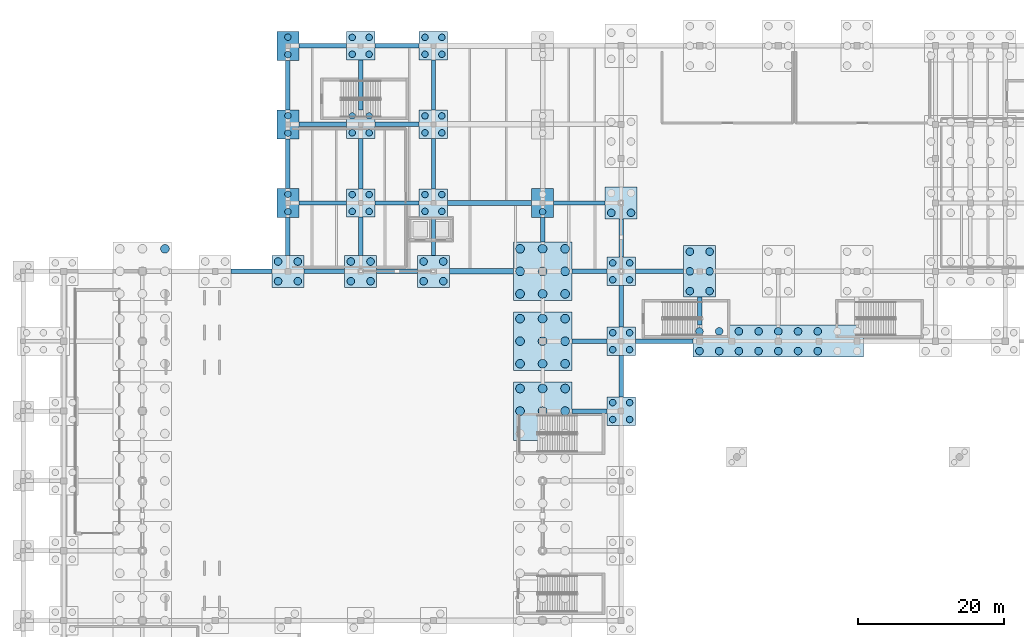
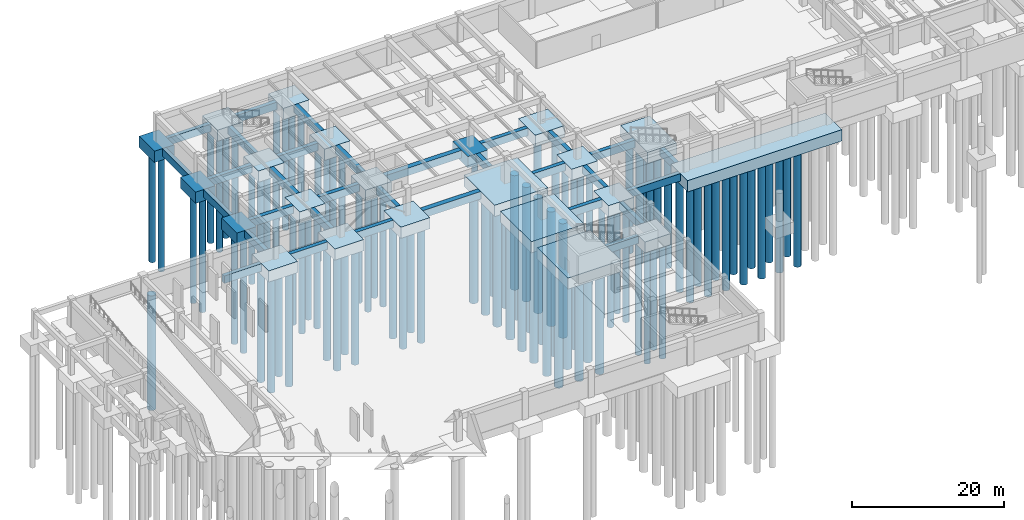
# One storey, part 3 of 33: 102 piles, 53 footings.
"""IFC4 building model written with IfcOpenShell, lengths in metres."""

from ifc_helpers import new_model, si_unit, direction, frame, origin, origin_2d, place, context, subcontext, project, spatial, rectangle, circle, extrude, material, material_profile, profile_set, type_object, element, save


model = new_model("IFC4")

# Units and contexts
model_context = context("Model", 3, precision=1e-05, world=origin(), true_north=direction((0.0, 1.0)))
body_context = subcontext(model_context, "Body", "Model", "MODEL_VIEW")
ifc_project = project(units=[si_unit("LENGTHUNIT", "METRE"), si_unit("AREAUNIT", "SQUARE_METRE"), si_unit("VOLUMEUNIT", "CUBIC_METRE"), si_unit("PLANEANGLEUNIT", "RADIAN"), si_unit("MASSUNIT", "GRAM", prefix="KILO")], contexts=[model_context])

# Site, building, storey
site_placement = place(None, origin())
site = spatial("IfcSite", under=ifc_project, at=site_placement, CompositionType="ELEMENT")
building_placement = place(site_placement, origin())
building = spatial("IfcBuilding", under=site, at=building_placement, Name="Veldera Park Congress Hotel", CompositionType="ELEMENT")
storey_placement = place(building_placement, frame((0.0, 0.0, -4.5)))
storey = spatial("IfcBuildingStorey", under=building, at=storey_placement, Name="B1", CompositionType="ELEMENT", Elevation=-4.5)

# Footings
ifc_material = material(Name="Concrete f'c 40 MPa (5,800 psi)", Category="concrete")
footing_type_1 = type_object("IfcFootingType", Name="FB-600X1200", PredefinedType="FOOTING_BEAM", material=ifc_material)
for number, where, z_axis, x_axis, name in (
    (1, (-5.96240234375, 7.800048828125, -1.2001953125), (0.0, 0.0, 1.0), (1.0, 0.0, 0.0), "Foundation Tie Beam FB-600X1200 40"),
    (2, (-5.96240234375, 17.39990234375, -1.2001953125), (0.0, 0.0, 1.0), (1.0, 0.0, 0.0), "Foundation Tie Beam FB-600X1200 44"),
):
    element("IfcFooting", number, at=place(storey_placement, frame(where, z_axis=z_axis, x_axis=x_axis)), inside=storey, type_object=footing_type_1, Name=name, PredefinedType="FOOTING_BEAM", context=body_context, shape_type="SweptSolid", body=[
        extrude(rectangle(XDim=4.824951171875, YDim=0.60009765625, at=origin_2d()), origin(), (0.0, 0.0, 1.0), 1.199951171875),
    ])
footing_1_placement = place(storey_placement, frame((4.324951171875, 17.39990234375, -1.2001953125), z_axis=(0.0, 0.0, 1.0), x_axis=(1.0, 0.0, 0.0)))
element("IfcFooting", 3, at=footing_1_placement, inside=storey, type_object=footing_type_1, Name="Foundation Tie Beam FB-600X1200 45", PredefinedType="FOOTING_BEAM", context=body_context, shape_type="SweptSolid", body=[
    extrude(rectangle(XDim=7.949951171875, YDim=0.60009765625, at=origin_2d()), origin(), (0.0, 0.0, 1.0), 1.199951171875),
])
for number, where, z_axis, x_axis, name in (
    (4, (-52.39990234375, 27.0, -1.2001953125), (0.0, 0.0, 1.0), (1.0, 0.0, 0.0), "Foundation Tie Beam FB-600X1200 53"),
    (5, (-42.39990234375, 27.0, -1.2001953125), (0.0, 0.0, 1.0), (1.0, 0.0, 0.0), "Foundation Tie Beam FB-600X1200 54"),
    (6, (-32.39990234375, 27.0, -1.2001953125), (0.0, 0.0, 1.0), (1.0, 0.0, 0.0), "Foundation Tie Beam FB-600X1200 55"),
):
    element("IfcFooting", number, at=place(storey_placement, frame(where, z_axis=z_axis, x_axis=x_axis)), inside=storey, type_object=footing_type_1, Name=name, PredefinedType="FOOTING_BEAM", context=body_context, shape_type="SweptSolid", body=[
        extrude(rectangle(XDim=5.60009765625, YDim=0.60009765625, at=origin_2d()), origin(), (0.0, 0.0, 1.0), 1.199951171875),
    ])
footing_2_placement = place(storey_placement, frame((-5.96240234375, 27.0, -1.2001953125), z_axis=(0.0, 0.0, 1.0), x_axis=(1.0, 0.0, 0.0)))
element("IfcFooting", 7, at=footing_2_placement, inside=storey, type_object=footing_type_1, Name="Foundation Tie Beam FB-600X1200 57", PredefinedType="FOOTING_BEAM", context=body_context, shape_type="SweptSolid", body=[
    extrude(rectangle(XDim=4.824951171875, YDim=0.60009765625, at=origin_2d()), origin(), (0.0, 0.0, 1.0), 1.199951171875),
])
footing_3_placement = place(storey_placement, frame((3.675048828125, 27.0, -1.2001953125), z_axis=(0.0, 0.0, 1.0), x_axis=(1.0, 0.0, 0.0)))
element("IfcFooting", 8, at=footing_3_placement, inside=storey, type_object=footing_type_1, Name="Foundation Tie Beam FB-600X1200 58", PredefinedType="FOOTING_BEAM", context=body_context, shape_type="SweptSolid", body=[
    extrude(rectangle(XDim=6.64990234375, YDim=0.60009765625, at=origin_2d()), origin(), (0.0, 0.0, 1.0), 1.199951171875),
])
footing_4_placement = place(storey_placement, frame((-42.625, 36.39990234375, -1.2001953125), z_axis=(0.0, 0.0, 1.0), x_axis=(1.0, 0.0, 0.0)))
element("IfcFooting", 9, at=footing_4_placement, inside=storey, type_object=footing_type_1, Name="Foundation Tie Beam FB-600X1200 65", PredefinedType="FOOTING_BEAM", context=body_context, shape_type="SweptSolid", body=[
    extrude(rectangle(XDim=6.550048828125, YDim=0.60009765625, at=origin_2d()), origin(), (0.0, 0.0, 1.0), 1.199951171875),
])
footing_5_placement = place(storey_placement, frame((-32.39990234375, 36.39990234375, -1.2001953125), z_axis=(0.0, 0.0, 1.0), x_axis=(1.0, 0.0, 0.0)))
element("IfcFooting", 10, at=footing_5_placement, inside=storey, type_object=footing_type_1, Name="Foundation Tie Beam FB-600X1200 66", PredefinedType="FOOTING_BEAM", context=body_context, shape_type="SweptSolid", body=[
    extrude(rectangle(XDim=6.10009765625, YDim=0.60009765625, at=origin_2d()), origin(), (0.0, 0.0, 1.0), 1.199951171875),
])
footing_6_placement = place(storey_placement, frame((-7.35009765625, 36.39990234375, -1.2001953125), z_axis=(0.0, 0.0, 1.0), x_axis=(1.0, 0.0, 0.0)))
element("IfcFooting", 11, at=footing_6_placement, inside=storey, type_object=footing_type_1, Name="Foundation Tie Beam FB-600X1200 68", PredefinedType="FOOTING_BEAM", context=body_context, shape_type="SweptSolid", body=[
    extrude(rectangle(XDim=7.10009765625, YDim=0.60009765625, at=origin_2d()), origin(), (0.0, 0.0, 1.0), 1.199951171875),
])
footing_7_placement = place(storey_placement, frame((-42.625, 47.199951171875, -1.2001953125), z_axis=(0.0, 0.0, 1.0), x_axis=(1.0, 0.0, 0.0)))
element("IfcFooting", 12, at=footing_7_placement, inside=storey, type_object=footing_type_1, Name="Foundation Tie Beam FB-600X1200 72", PredefinedType="FOOTING_BEAM", context=body_context, shape_type="SweptSolid", body=[
    extrude(rectangle(XDim=6.550048828125, YDim=0.60009765625, at=origin_2d()), origin(), (0.0, 0.0, 1.0), 1.199951171875),
])
footing_8_placement = place(storey_placement, frame((-32.39990234375, 47.199951171875, -1.2001953125), z_axis=(0.0, 0.0, 1.0), x_axis=(1.0, 0.0, 0.0)))
element("IfcFooting", 13, at=footing_8_placement, inside=storey, type_object=footing_type_1, Name="Foundation Tie Beam FB-600X1200 73", PredefinedType="FOOTING_BEAM", context=body_context, shape_type="SweptSolid", body=[
    extrude(rectangle(XDim=6.10009765625, YDim=0.60009765625, at=origin_2d()), origin(), (0.0, 0.0, 1.0), 1.199951171875),
])
footing_9_placement = place(storey_placement, frame((-42.625, 58.0, -1.2001953125), z_axis=(0.0, 0.0, 1.0), x_axis=(1.0, 0.0, 0.0)))
element("IfcFooting", 14, at=footing_9_placement, inside=storey, type_object=footing_type_1, Name="Foundation Tie Beam FB-600X1200 79", PredefinedType="FOOTING_BEAM", context=body_context, shape_type="SweptSolid", body=[
    extrude(rectangle(XDim=6.550048828125, YDim=0.60009765625, at=origin_2d()), origin(), (0.0, 0.0, 1.0), 1.199951171875),
])
footing_10_placement = place(storey_placement, frame((-32.39990234375, 58.0, -1.2001953125), z_axis=(0.0, 0.0, 1.0), x_axis=(1.0, 0.0, 0.0)))
element("IfcFooting", 15, at=footing_10_placement, inside=storey, type_object=footing_type_1, Name="Foundation Tie Beam FB-600X1200 80", PredefinedType="FOOTING_BEAM", context=body_context, shape_type="SweptSolid", body=[
    extrude(rectangle(XDim=6.10009765625, YDim=0.60009765625, at=origin_2d()), origin(), (0.0, 0.0, 1.0), 1.199951171875),
])
footing_11_placement = place(storey_placement, frame((-47.39990234375, 31.800048828125, -1.2001953125), z_axis=(0.0, 0.0, 1.0), x_axis=(0.0, 1.0, 0.0)))
element("IfcFooting", 16, at=footing_11_placement, inside=storey, type_object=footing_type_1, Name="Foundation Tie Beam FB-600X1200 105", PredefinedType="FOOTING_BEAM", context=body_context, shape_type="SweptSolid", body=[
    extrude(rectangle(XDim=5.199951171875, YDim=0.60009765625, at=origin_2d()), origin(), (0.0, 0.0, 1.0), 1.199951171875),
])
for number, where, z_axis, x_axis, name in (
    (17, (-47.39990234375, 41.800048828125, -1.2001953125), (0.0, 0.0, 1.0), (0.0, 1.0, 0.0), "Foundation Tie Beam FB-600X1200 106"),
    (18, (-47.39990234375, 52.60009765625, -1.2001953125), (0.0, 0.0, 1.0), (0.0, 1.0, 0.0), "Foundation Tie Beam FB-600X1200 107"),
):
    element("IfcFooting", number, at=place(storey_placement, frame(where, z_axis=z_axis, x_axis=x_axis)), inside=storey, type_object=footing_type_1, Name=name, PredefinedType="FOOTING_BEAM", context=body_context, shape_type="SweptSolid", body=[
        extrude(rectangle(XDim=6.800048828125, YDim=0.60009765625, at=origin_2d()), origin(), (0.0, 0.0, 1.0), 1.199951171875),
    ])
footing_12_placement = place(storey_placement, frame((-37.39990234375, 31.824951171875, -1.2001953125), z_axis=(0.0, 0.0, 1.0), x_axis=(0.0, 1.0, 0.0)))
element("IfcFooting", 19, at=footing_12_placement, inside=storey, type_object=footing_type_1, Name="Foundation Tie Beam FB-600X1200 111", PredefinedType="FOOTING_BEAM", context=body_context, shape_type="SweptSolid", body=[
    extrude(rectangle(XDim=5.25, YDim=0.60009765625, at=origin_2d()), origin(), (0.0, 0.0, 1.0), 1.199951171875),
])
for number, where, z_axis, x_axis, name in (
    (20, (-37.39990234375, 41.800048828125, -1.2001953125), (0.0, 0.0, 1.0), (0.0, 1.0, 0.0), "Foundation Tie Beam FB-600X1200 112"),
    (21, (-37.39990234375, 52.60009765625, -1.2001953125), (0.0, 0.0, 1.0), (0.0, 1.0, 0.0), "Foundation Tie Beam FB-600X1200 113"),
):
    element("IfcFooting", number, at=place(storey_placement, frame(where, z_axis=z_axis, x_axis=x_axis)), inside=storey, type_object=footing_type_1, Name=name, PredefinedType="FOOTING_BEAM", context=body_context, shape_type="SweptSolid", body=[
        extrude(rectangle(XDim=6.89990234375, YDim=0.60009765625, at=origin_2d()), origin(), (0.0, 0.0, 1.0), 1.199951171875),
    ])
footing_13_placement = place(storey_placement, frame((-27.39990234375, 31.824951171875, -1.2001953125), z_axis=(0.0, 0.0, 1.0), x_axis=(0.0, 1.0, 0.0)))
element("IfcFooting", 22, at=footing_13_placement, inside=storey, type_object=footing_type_1, Name="Foundation Tie Beam FB-600X1200 114", PredefinedType="FOOTING_BEAM", context=body_context, shape_type="SweptSolid", body=[
    extrude(rectangle(XDim=5.25, YDim=0.60009765625, at=origin_2d()), origin(), (0.0, 0.0, 1.0), 1.199951171875),
])
for number, where, z_axis, x_axis, name in (
    (23, (-27.39990234375, 41.800048828125, -1.2001953125), (0.0, 0.0, 1.0), (0.0, 1.0, 0.0), "Foundation Tie Beam FB-600X1200 115"),
    (24, (-27.39990234375, 52.60009765625, -1.2001953125), (0.0, 0.0, 1.0), (0.0, 1.0, 0.0), "Foundation Tie Beam FB-600X1200 116"),
):
    element("IfcFooting", number, at=place(storey_placement, frame(where, z_axis=z_axis, x_axis=x_axis)), inside=storey, type_object=footing_type_1, Name=name, PredefinedType="FOOTING_BEAM", context=body_context, shape_type="SweptSolid", body=[
        extrude(rectangle(XDim=6.89990234375, YDim=0.60009765625, at=origin_2d()), origin(), (0.0, 0.0, 1.0), 1.199951171875),
    ])
footing_14_placement = place(storey_placement, frame((-12.39990234375, 32.71240234375, -1.2001953125), z_axis=(0.0, 0.0, 1.0), x_axis=(0.0, 1.0, 0.0)))
element("IfcFooting", 25, at=footing_14_placement, inside=storey, type_object=footing_type_1, Name="Foundation Tie Beam FB-600X1200 117", PredefinedType="FOOTING_BEAM", context=body_context, shape_type="SweptSolid", body=[
    extrude(rectangle(XDim=3.375, YDim=0.60009765625, at=origin_2d()), origin(), (0.0, 0.0, 1.0), 1.199951171875),
])
for number, where, z_axis, x_axis, name in (
    (26, (-1.60009765625, 12.60009765625, -1.2001953125), (0.0, 0.0, 1.0), (0.0, 1.0, 0.0), "Foundation Tie Beam FB-600X1200 123"),
    (27, (-1.60009765625, 22.199951171875, -1.2001953125), (0.0, 0.0, 1.0), (0.0, 1.0, 0.0), "Foundation Tie Beam FB-600X1200 124"),
):
    element("IfcFooting", number, at=place(storey_placement, frame(where, z_axis=z_axis, x_axis=x_axis)), inside=storey, type_object=footing_type_1, Name=name, PredefinedType="FOOTING_BEAM", context=body_context, shape_type="SweptSolid", body=[
        extrude(rectangle(XDim=5.699951171875, YDim=0.60009765625, at=origin_2d()), origin(), (0.0, 0.0, 1.0), 1.199951171875),
    ])
footing_15_placement = place(storey_placement, frame((-1.60009765625, 31.574951171875, -1.2001953125), z_axis=(0.0, 0.0, 1.0), x_axis=(0.0, 1.0, 0.0)))
element("IfcFooting", 28, at=footing_15_placement, inside=storey, type_object=footing_type_1, Name="Foundation Tie Beam FB-600X1200 125", PredefinedType="FOOTING_BEAM", context=body_context, shape_type="SweptSolid", body=[
    extrude(rectangle(XDim=5.25, YDim=0.60009765625, at=origin_2d()), origin(), (0.0, 0.0, 1.0), 1.199951171875),
])
footing_16_placement = place(storey_placement, frame((9.199951171875, 21.52490234375, -1.2001953125), z_axis=(0.0, 0.0, 1.0), x_axis=(0.0, 1.0, 0.0)))
element("IfcFooting", 29, at=footing_16_placement, inside=storey, type_object=footing_type_1, Name="Foundation Tie Beam FB-600X1200 128", PredefinedType="FOOTING_BEAM", context=body_context, shape_type="SweptSolid", body=[
    extrude(rectangle(XDim=3.85009765625, YDim=0.60009765625, at=origin_2d()), origin(), (0.0, 0.0, 1.0), 1.199951171875),
])
footing_type_2 = type_object("IfcFootingType", Name="FB-750X1200", PredefinedType="FOOTING_BEAM", material=ifc_material)
footing_17_placement = place(storey_placement, frame((-20.8125, 27.0, -1.2001953125), z_axis=(0.0, 0.0, 1.0), x_axis=(1.0, 0.0, 0.0)))
element("IfcFooting", 30, at=footing_17_placement, inside=storey, type_object=footing_type_2, Name="Foundation Tie Beam FB-750X1200 56", PredefinedType="FOOTING_BEAM", context=body_context, shape_type="SweptSolid", body=[
    extrude(rectangle(XDim=8.77490234375, YDim=0.75, at=origin_2d()), origin(), (0.0, 0.0, 1.0), 1.199951171875),
])
footing_18_placement = place(storey_placement, frame((-19.675048828125, 36.39990234375, -1.2001953125), z_axis=(0.0, 0.0, 1.0), x_axis=(1.0, 0.0, 0.0)))
element("IfcFooting", 31, at=footing_18_placement, inside=storey, type_object=footing_type_2, Name="Foundation Tie Beam FB-750X1200 67", PredefinedType="FOOTING_BEAM", context=body_context, shape_type="SweptSolid", body=[
    extrude(rectangle(XDim=11.550048828125, YDim=0.75, at=origin_2d()), origin(), (0.0, 0.0, 1.0), 1.199951171875),
])
footing_type_3 = type_object("IfcFootingType", Name="PC-2340X440", PredefinedType="PILE_CAP", material=ifc_material)
footing_19_placement = place(storey_placement, frame((20.0, 17.39990234375, -1.7998046875), z_axis=(0.0, 0.0, 1.0), x_axis=(1.0, 0.0, 0.0)))
element("IfcFooting", 32, at=footing_19_placement, inside=storey, type_object=footing_type_3, Name="Pile Cap PC-2340X440 at (20.0, 17.4)", PredefinedType="PILE_CAP", context=body_context, shape_type="SweptSolid", body=[
    extrude(rectangle(XDim=23.39990234375, YDim=4.39990234375, at=origin_2d()), origin(), (0.0, 0.0, 1.0), 1.800048828125),
])
footing_type_4 = type_object("IfcFootingType", Name="PC-300X400", PredefinedType="PILE_CAP", material=ifc_material)
for number, where, z_axis, x_axis, name in (
    (33, (-47.39990234375, 36.39990234375, -1.7998046875), (0.0, 0.0, 1.0), (1.0, 0.0, 0.0), "Pile Cap PC-300X400 at (-47.4, 36.4)"),
    (34, (-47.39990234375, 47.199951171875, -1.7998046875), (0.0, 0.0, 1.0), (1.0, 0.0, 0.0), "Pile Cap PC-300X400 at (-47.4, 47.2)"),
    (35, (-47.39990234375, 58.0, -1.7998046875), (0.0, 0.0, 1.0), (1.0, 0.0, 0.0), "Pile Cap PC-300X400 at (-47.4, 58.0)"),
    (36, (-12.39990234375, 36.39990234375, -1.7998046875), (0.0, 0.0, 1.0), (1.0, 0.0, 0.0), "Pile Cap PC-300X400 at (-12.4, 36.4)"),
):
    element("IfcFooting", number, at=place(storey_placement, frame(where, z_axis=z_axis, x_axis=x_axis)), inside=storey, type_object=footing_type_4, Name=name, PredefinedType="PILE_CAP", context=body_context, shape_type="SweptSolid", body=[
        extrude(rectangle(XDim=3.0, YDim=4.0, at=origin_2d()), origin(), (0.0, 0.0, 1.0), 1.800048828125),
    ])
footing_type_5 = type_object("IfcFootingType", Name="PC-390", PredefinedType="PILE_CAP", material=ifc_material)
for number, where, z_axis, x_axis, name in (
    (37, (-37.39990234375, 36.39990234375, -1.7998046875), (0.0, 0.0, 1.0), (1.0, 0.0, 0.0), "Pile Cap PC-390 at (-37.4, 36.4)"),
    (38, (-37.39990234375, 47.199951171875, -1.7998046875), (0.0, 0.0, 1.0), (1.0, 0.0, 0.0), "Pile Cap PC-390 at (-37.4, 47.2)"),
    (39, (-37.39990234375, 58.0, -1.7998046875), (0.0, 0.0, 1.0), (1.0, 0.0, 0.0), "Pile Cap PC-390 at (-37.4, 58.0)"),
    (40, (-27.39990234375, 36.39990234375, -1.7998046875), (0.0, 0.0, 1.0), (1.0, 0.0, 0.0), "Pile Cap PC-390 at (-27.4, 36.4)"),
    (41, (-27.39990234375, 47.199951171875, -1.7998046875), (0.0, 0.0, 1.0), (1.0, 0.0, 0.0), "Pile Cap PC-390 at (-27.4, 47.2)"),
    (42, (-27.39990234375, 58.0, -1.7998046875), (0.0, 0.0, 1.0), (1.0, 0.0, 0.0), "Pile Cap PC-390 at (-27.4, 58.0)"),
    (43, (-1.60009765625, 7.800048828125, -1.7998046875), (0.0, 0.0, 1.0), (1.0, 0.0, 0.0), "Pile Cap PC-390 at (-1.6, 7.8)"),
    (44, (-1.60009765625, 17.39990234375, -1.7998046875), (0.0, 0.0, 1.0), (1.0, 0.0, 0.0), "Pile Cap PC-390 at (-1.6, 17.4)"),
    (45, (-1.60009765625, 27.0, -1.7998046875), (0.0, 0.0, 1.0), (1.0, 0.0, 0.0), "Pile Cap PC-390 at (-1.6, 27.0)"),
):
    element("IfcFooting", number, at=place(storey_placement, frame(where, z_axis=z_axis, x_axis=x_axis)), inside=storey, type_object=footing_type_5, Name=name, PredefinedType="PILE_CAP", context=body_context, shape_type="SweptSolid", body=[
        extrude(rectangle(XDim=3.89990234375, YDim=3.89990234375, at=origin_2d()), origin(), (0.0, 0.0, 1.0), 1.800048828125),
    ])
footing_type_6 = type_object("IfcFootingType", Name="PC-440", PredefinedType="PILE_CAP", material=ifc_material)
for number, where, z_axis, x_axis, name in (
    (46, (-47.39990234375, 27.0, -1.7998046875), (0.0, 0.0, 1.0), (1.0, 0.0, 0.0), "Pile Cap PC-440 at (-47.4, 27.0)"),
    (47, (-37.39990234375, 27.0, -1.7998046875), (0.0, 0.0, 1.0), (1.0, 0.0, 0.0), "Pile Cap PC-440 at (-37.4, 27.0)"),
    (48, (-27.39990234375, 27.0, -1.7998046875), (0.0, 0.0, 1.0), (1.0, 0.0, 0.0), "Pile Cap PC-440 at (-27.4, 27.0)"),
    (49, (-1.60009765625, 36.39990234375, -1.7998046875), (0.0, 0.0, 1.0), (1.0, 0.0, 0.0), "Pile Cap PC-440 at (-1.6, 36.4)"),
):
    element("IfcFooting", number, at=place(storey_placement, frame(where, z_axis=z_axis, x_axis=x_axis)), inside=storey, type_object=footing_type_6, Name=name, PredefinedType="PILE_CAP", context=body_context, shape_type="SweptSolid", body=[
        extrude(rectangle(XDim=4.39990234375, YDim=4.39990234375, at=origin_2d()), origin(), (0.0, 0.0, 1.0), 1.800048828125),
    ])
footing_type_7 = type_object("IfcFootingType", Name="PC-440X710", PredefinedType="PILE_CAP", material=ifc_material)
footing_20_placement = place(storey_placement, frame((9.199951171875, 27.0, -1.7998046875), z_axis=(0.0, 0.0, 1.0), x_axis=(1.0, 0.0, 0.0)))
element("IfcFooting", 50, at=footing_20_placement, inside=storey, type_object=footing_type_7, Name="Pile Cap PC-440X710 at (9.2, 27.0)", PredefinedType="PILE_CAP", context=body_context, shape_type="SweptSolid", body=[
    extrude(rectangle(XDim=4.39990234375, YDim=7.10009765625, at=origin_2d()), origin(), (0.0, 0.0, 1.0), 1.800048828125),
])
footing_type_8 = type_object("IfcFootingType", Name="PC-805", PredefinedType="PILE_CAP", material=ifc_material)
for number, where, z_axis, x_axis, name in (
    (51, (-12.39990234375, 7.800048828125, -1.7998046875), (0.0, 0.0, 1.0), (1.0, 0.0, 0.0), "Pile Cap PC-805 at (-12.4, 7.8)"),
    (52, (-12.39990234375, 17.39990234375, -1.7998046875), (0.0, 0.0, 1.0), (1.0, 0.0, 0.0), "Pile Cap PC-805 at (-12.4, 17.4)"),
    (53, (-12.39990234375, 27.0, -1.7998046875), (0.0, 0.0, 1.0), (1.0, 0.0, 0.0), "Pile Cap PC-805 at (-12.4, 27.0)"),
):
    element("IfcFooting", number, at=place(storey_placement, frame(where, z_axis=z_axis, x_axis=x_axis)), inside=storey, type_object=footing_type_8, Name=name, PredefinedType="PILE_CAP", context=body_context, shape_type="SweptSolid", body=[
        extrude(rectangle(XDim=8.050048828125, YDim=8.050048828125, at=origin_2d()), origin(), (0.0, 0.0, 1.0), 1.800048828125),
    ])

# Piles
ifc_material_profile_1 = material_profile(ifc_material, circle(Radius=0.52490234375, at=origin_2d()), Name="PILE D1050")
ifc_profile_set_1 = profile_set([ifc_material_profile_1], Name="Concrete f'c 40 MPa (5,800 psi)")
pile_type_1 = type_object("IfcPileType", Name="PIL-1050", PredefinedType="BORED", material=ifc_profile_set_1)
for number, where, z_axis, x_axis, name in (
    (54, (-48.75439453125, 25.6455078125, -1.64990234375), (0.0, 0.0, -1.0), (1.0, 0.0, 0.0), "Bored Pile PIL-1050 145"),
    (55, (-46.04541015625, 25.6455078125, -1.64990234375), (0.0, 0.0, -1.0), (1.0, 0.0, 0.0), "Bored Pile PIL-1050 146"),
    (56, (-48.75439453125, 28.3544921875, -1.64990234375), (0.0, 0.0, -1.0), (1.0, 0.0, 0.0), "Bored Pile PIL-1050 147"),
    (57, (-46.04541015625, 28.3544921875, -1.64990234375), (0.0, 0.0, -1.0), (1.0, 0.0, 0.0), "Bored Pile PIL-1050 148"),
    (58, (-38.75439453125, 25.6455078125, -1.64990234375), (0.0, 0.0, -1.0), (1.0, 0.0, 0.0), "Bored Pile PIL-1050 165"),
    (59, (-36.04541015625, 25.6455078125, -1.64990234375), (0.0, 0.0, -1.0), (1.0, 0.0, 0.0), "Bored Pile PIL-1050 166"),
    (60, (-38.75439453125, 28.3544921875, -1.64990234375), (0.0, 0.0, -1.0), (1.0, 0.0, 0.0), "Bored Pile PIL-1050 167"),
    (61, (-36.04541015625, 28.3544921875, -1.64990234375), (0.0, 0.0, -1.0), (1.0, 0.0, 0.0), "Bored Pile PIL-1050 168"),
    (62, (-28.75439453125, 25.6455078125, -1.64990234375), (0.0, 0.0, -1.0), (1.0, 0.0, 0.0), "Bored Pile PIL-1050 183"),
    (63, (-26.04541015625, 25.6455078125, -1.64990234375), (0.0, 0.0, -1.0), (1.0, 0.0, 0.0), "Bored Pile PIL-1050 184"),
    (64, (-28.75439453125, 28.3544921875, -1.64990234375), (0.0, 0.0, -1.0), (1.0, 0.0, 0.0), "Bored Pile PIL-1050 185"),
    (65, (-26.04541015625, 28.3544921875, -1.64990234375), (0.0, 0.0, -1.0), (1.0, 0.0, 0.0), "Bored Pile PIL-1050 186"),
    (66, (-2.95458984375, 35.04541015625, -1.64990234375), (0.0, 0.0, -1.0), (1.0, 0.0, 0.0), "Bored Pile PIL-1050 283"),
    (67, (-0.24560546875, 35.04541015625, -1.64990234375), (0.0, 0.0, -1.0), (1.0, 0.0, 0.0), "Bored Pile PIL-1050 284"),
    (68, (9.1640625, 16.04541015625, -1.64990234375), (0.0, 0.0, -1.0), (1.0, 0.0, 0.0), "Bored Pile PIL-1050 297"),
    (69, (9.1640625, 18.75439453125, -1.64990234375), (0.0, 0.0, -1.0), (1.0, 0.0, 0.0), "Bored Pile PIL-1050 298"),
    (70, (11.873046875, 16.04541015625, -1.64990234375), (0.0, 0.0, -1.0), (1.0, 0.0, 0.0), "Bored Pile PIL-1050 299"),
    (71, (11.873046875, 18.75439453125, -1.64990234375), (0.0, 0.0, -1.0), (1.0, 0.0, 0.0), "Bored Pile PIL-1050 300"),
    (72, (14.58203125, 16.04541015625, -1.64990234375), (0.0, 0.0, -1.0), (1.0, 0.0, 0.0), "Bored Pile PIL-1050 301"),
    (73, (14.58203125, 18.75439453125, -1.64990234375), (0.0, 0.0, -1.0), (1.0, 0.0, 0.0), "Bored Pile PIL-1050 302"),
    (74, (17.291015625, 16.04541015625, -1.64990234375), (0.0, 0.0, -1.0), (1.0, 0.0, 0.0), "Bored Pile PIL-1050 303"),
    (75, (17.291015625, 18.75439453125, -1.64990234375), (0.0, 0.0, -1.0), (1.0, 0.0, 0.0), "Bored Pile PIL-1050 304"),
    (76, (20.0, 16.04541015625, -1.64990234375), (0.0, 0.0, -1.0), (1.0, 0.0, 0.0), "Bored Pile PIL-1050 305"),
    (77, (20.0, 18.75439453125, -1.64990234375), (0.0, 0.0, -1.0), (1.0, 0.0, 0.0), "Bored Pile PIL-1050 306"),
    (78, (22.708984375, 16.04541015625, -1.64990234375), (0.0, 0.0, -1.0), (1.0, 0.0, 0.0), "Bored Pile PIL-1050 307"),
    (79, (22.708984375, 18.75439453125, -1.64990234375), (0.0, 0.0, -1.0), (1.0, 0.0, 0.0), "Bored Pile PIL-1050 308"),
    (80, (25.41796875, 16.04541015625, -1.64990234375), (0.0, 0.0, -1.0), (1.0, 0.0, 0.0), "Bored Pile PIL-1050 309"),
    (81, (25.41796875, 18.75439453125, -1.64990234375), (0.0, 0.0, -1.0), (1.0, 0.0, 0.0), "Bored Pile PIL-1050 310"),
    (82, (7.845458984375, 24.291015625, -1.64990234375), (0.0, 0.0, -1.0), (1.0, 0.0, 0.0), "Bored Pile PIL-1050 315"),
    (83, (10.554443359375, 24.291015625, -1.64990234375), (0.0, 0.0, -1.0), (1.0, 0.0, 0.0), "Bored Pile PIL-1050 316"),
    (84, (7.845458984375, 27.0, -1.64990234375), (0.0, 0.0, -1.0), (1.0, 0.0, 0.0), "Bored Pile PIL-1050 317"),
    (85, (10.554443359375, 27.0, -1.64990234375), (0.0, 0.0, -1.0), (1.0, 0.0, 0.0), "Bored Pile PIL-1050 318"),
    (86, (7.845458984375, 29.708984375, -1.64990234375), (0.0, 0.0, -1.0), (1.0, 0.0, 0.0), "Bored Pile PIL-1050 319"),
    (87, (10.554443359375, 29.708984375, -1.64990234375), (0.0, 0.0, -1.0), (1.0, 0.0, 0.0), "Bored Pile PIL-1050 320"),
):
    element("IfcPile", number, at=place(storey_placement, frame(where, z_axis=z_axis, x_axis=x_axis)), inside=storey, type_object=pile_type_1, Name=name, PredefinedType="BORED", context=body_context, shape_type="SweptSolid", body=[
        extrude(circle(Radius=0.52490234375, at=origin_2d()), origin(), (0.0, 0.0, 1.0), 18.35009765625),
    ])
ifc_material_profile_2 = material_profile(ifc_material, circle(Radius=0.60009765625, at=origin_2d()), Name="PILE D1200")
ifc_profile_set_2 = profile_set([ifc_material_profile_2], Name="Concrete f'c 40 MPa (5,800 psi)")
pile_type_2 = type_object("IfcPileType", Name="PIL-1200", PredefinedType="BORED", material=ifc_profile_set_2)
for number, where, z_axis, x_axis, name in (
    (88, (-64.303955078125, 30.095947265625, -1.64990234375), (0.0, 0.0, -1.0), (1.0, 0.0, 0.0), "Bored Pile PIL-1200 120"),
    (89, (-15.49609375, 7.800048828125, -1.64990234375), (0.0, 0.0, -1.0), (1.0, 0.0, 0.0), "Bored Pile PIL-1200 227"),
    (90, (-15.49609375, 10.89599609375, -1.64990234375), (0.0, 0.0, -1.0), (1.0, 0.0, 0.0), "Bored Pile PIL-1200 228"),
    (91, (-12.39990234375, 7.800048828125, -1.64990234375), (0.0, 0.0, -1.0), (1.0, 0.0, 0.0), "Bored Pile PIL-1200 230"),
    (92, (-12.39990234375, 10.89599609375, -1.64990234375), (0.0, 0.0, -1.0), (1.0, 0.0, 0.0), "Bored Pile PIL-1200 231"),
    (93, (-9.303955078125, 7.800048828125, -1.64990234375), (0.0, 0.0, -1.0), (1.0, 0.0, 0.0), "Bored Pile PIL-1200 233"),
    (94, (-9.303955078125, 10.89599609375, -1.64990234375), (0.0, 0.0, -1.0), (1.0, 0.0, 0.0), "Bored Pile PIL-1200 234"),
    (95, (-15.49609375, 14.303955078125, -1.64990234375), (0.0, 0.0, -1.0), (1.0, 0.0, 0.0), "Bored Pile PIL-1200 235"),
    (96, (-15.49609375, 17.39990234375, -1.64990234375), (0.0, 0.0, -1.0), (1.0, 0.0, 0.0), "Bored Pile PIL-1200 236"),
    (97, (-15.49609375, 20.49609375, -1.64990234375), (0.0, 0.0, -1.0), (1.0, 0.0, 0.0), "Bored Pile PIL-1200 237"),
    (98, (-12.39990234375, 14.303955078125, -1.64990234375), (0.0, 0.0, -1.0), (1.0, 0.0, 0.0), "Bored Pile PIL-1200 238"),
    (99, (-12.39990234375, 17.39990234375, -1.64990234375), (0.0, 0.0, -1.0), (1.0, 0.0, 0.0), "Bored Pile PIL-1200 239"),
    (100, (-12.39990234375, 20.49609375, -1.64990234375), (0.0, 0.0, -1.0), (1.0, 0.0, 0.0), "Bored Pile PIL-1200 240"),
    (101, (-9.303955078125, 14.303955078125, -1.64990234375), (0.0, 0.0, -1.0), (1.0, 0.0, 0.0), "Bored Pile PIL-1200 241"),
    (102, (-9.303955078125, 17.39990234375, -1.64990234375), (0.0, 0.0, -1.0), (1.0, 0.0, 0.0), "Bored Pile PIL-1200 242"),
    (103, (-9.303955078125, 20.49609375, -1.64990234375), (0.0, 0.0, -1.0), (1.0, 0.0, 0.0), "Bored Pile PIL-1200 243"),
    (104, (-15.49609375, 23.904052734375, -1.64990234375), (0.0, 0.0, -1.0), (1.0, 0.0, 0.0), "Bored Pile PIL-1200 244"),
    (105, (-15.49609375, 27.0, -1.64990234375), (0.0, 0.0, -1.0), (1.0, 0.0, 0.0), "Bored Pile PIL-1200 245"),
    (106, (-15.49609375, 30.095947265625, -1.64990234375), (0.0, 0.0, -1.0), (1.0, 0.0, 0.0), "Bored Pile PIL-1200 246"),
    (107, (-12.39990234375, 23.904052734375, -1.64990234375), (0.0, 0.0, -1.0), (1.0, 0.0, 0.0), "Bored Pile PIL-1200 247"),
    (108, (-12.39990234375, 27.0, -1.64990234375), (0.0, 0.0, -1.0), (1.0, 0.0, 0.0), "Bored Pile PIL-1200 248"),
    (109, (-12.39990234375, 30.095947265625, -1.64990234375), (0.0, 0.0, -1.0), (1.0, 0.0, 0.0), "Bored Pile PIL-1200 249"),
    (110, (-9.303955078125, 23.904052734375, -1.64990234375), (0.0, 0.0, -1.0), (1.0, 0.0, 0.0), "Bored Pile PIL-1200 250"),
    (111, (-9.303955078125, 27.0, -1.64990234375), (0.0, 0.0, -1.0), (1.0, 0.0, 0.0), "Bored Pile PIL-1200 251"),
    (112, (-9.303955078125, 30.095947265625, -1.64990234375), (0.0, 0.0, -1.0), (1.0, 0.0, 0.0), "Bored Pile PIL-1200 252"),
):
    element("IfcPile", number, at=place(storey_placement, frame(where, z_axis=z_axis, x_axis=x_axis)), inside=storey, type_object=pile_type_2, Name=name, PredefinedType="BORED", context=body_context, shape_type="SweptSolid", body=[
        extrude(circle(Radius=0.60009765625, at=origin_2d()), origin(), (0.0, 0.0, 1.0), 18.35009765625),
    ])
ifc_material_profile_3 = material_profile(ifc_material, circle(Radius=0.449951171875, at=origin_2d()), Name="PILE D900")
ifc_profile_set_3 = profile_set([ifc_material_profile_3], Name="Concrete f'c 40 MPa (5,800 psi)")
pile_type_3 = type_object("IfcPileType", Name="PIL-900", PredefinedType="BORED", material=ifc_profile_set_3)
for number, where, z_axis, x_axis, name in (
    (113, (-47.39990234375, 35.199951171875, -1.64990234375), (0.0, 0.0, -1.0), (1.0, 0.0, 0.0), "Bored Pile PIL-900 149"),
    (114, (-47.39990234375, 37.60009765625, -1.64990234375), (0.0, 0.0, -1.0), (1.0, 0.0, 0.0), "Bored Pile PIL-900 150"),
    (115, (-47.39990234375, 46.0, -1.64990234375), (0.0, 0.0, -1.0), (1.0, 0.0, 0.0), "Bored Pile PIL-900 151"),
    (116, (-47.39990234375, 48.39990234375, -1.64990234375), (0.0, 0.0, -1.0), (1.0, 0.0, 0.0), "Bored Pile PIL-900 152"),
    (117, (-47.39990234375, 56.800048828125, -1.64990234375), (0.0, 0.0, -1.0), (1.0, 0.0, 0.0), "Bored Pile PIL-900 153"),
    (118, (-47.39990234375, 59.199951171875, -1.64990234375), (0.0, 0.0, -1.0), (1.0, 0.0, 0.0), "Bored Pile PIL-900 154"),
    (119, (-38.56103515625, 35.239013671875, -1.64990234375), (0.0, 0.0, -1.0), (1.0, 0.0, 0.0), "Bored Pile PIL-900 169"),
    (120, (-36.239013671875, 35.239013671875, -1.64990234375), (0.0, 0.0, -1.0), (1.0, 0.0, 0.0), "Bored Pile PIL-900 170"),
    (121, (-38.56103515625, 37.56103515625, -1.64990234375), (0.0, 0.0, -1.0), (1.0, 0.0, 0.0), "Bored Pile PIL-900 171"),
    (122, (-36.239013671875, 37.56103515625, -1.64990234375), (0.0, 0.0, -1.0), (1.0, 0.0, 0.0), "Bored Pile PIL-900 172"),
    (123, (-38.56103515625, 46.0390625, -1.64990234375), (0.0, 0.0, -1.0), (1.0, 0.0, 0.0), "Bored Pile PIL-900 173"),
    (124, (-36.239013671875, 46.0390625, -1.64990234375), (0.0, 0.0, -1.0), (1.0, 0.0, 0.0), "Bored Pile PIL-900 174"),
    (125, (-38.56103515625, 48.361083984375, -1.64990234375), (0.0, 0.0, -1.0), (1.0, 0.0, 0.0), "Bored Pile PIL-900 175"),
    (126, (-36.239013671875, 48.361083984375, -1.64990234375), (0.0, 0.0, -1.0), (1.0, 0.0, 0.0), "Bored Pile PIL-900 176"),
    (127, (-38.56103515625, 56.839111328125, -1.64990234375), (0.0, 0.0, -1.0), (1.0, 0.0, 0.0), "Bored Pile PIL-900 177"),
    (128, (-36.239013671875, 56.839111328125, -1.64990234375), (0.0, 0.0, -1.0), (1.0, 0.0, 0.0), "Bored Pile PIL-900 178"),
    (129, (-38.56103515625, 59.160888671875, -1.64990234375), (0.0, 0.0, -1.0), (1.0, 0.0, 0.0), "Bored Pile PIL-900 179"),
    (130, (-36.239013671875, 59.160888671875, -1.64990234375), (0.0, 0.0, -1.0), (1.0, 0.0, 0.0), "Bored Pile PIL-900 180"),
    (131, (-28.56103515625, 35.239013671875, -1.64990234375), (0.0, 0.0, -1.0), (1.0, 0.0, 0.0), "Bored Pile PIL-900 187"),
    (132, (-26.239013671875, 35.239013671875, -1.64990234375), (0.0, 0.0, -1.0), (1.0, 0.0, 0.0), "Bored Pile PIL-900 188"),
    (133, (-28.56103515625, 37.56103515625, -1.64990234375), (0.0, 0.0, -1.0), (1.0, 0.0, 0.0), "Bored Pile PIL-900 189"),
    (134, (-26.239013671875, 37.56103515625, -1.64990234375), (0.0, 0.0, -1.0), (1.0, 0.0, 0.0), "Bored Pile PIL-900 190"),
    (135, (-28.56103515625, 46.0390625, -1.64990234375), (0.0, 0.0, -1.0), (1.0, 0.0, 0.0), "Bored Pile PIL-900 191"),
    (136, (-26.239013671875, 46.0390625, -1.64990234375), (0.0, 0.0, -1.0), (1.0, 0.0, 0.0), "Bored Pile PIL-900 192"),
    (137, (-28.56103515625, 48.361083984375, -1.64990234375), (0.0, 0.0, -1.0), (1.0, 0.0, 0.0), "Bored Pile PIL-900 193"),
    (138, (-26.239013671875, 48.361083984375, -1.64990234375), (0.0, 0.0, -1.0), (1.0, 0.0, 0.0), "Bored Pile PIL-900 194"),
    (139, (-28.56103515625, 56.839111328125, -1.64990234375), (0.0, 0.0, -1.0), (1.0, 0.0, 0.0), "Bored Pile PIL-900 195"),
    (140, (-26.239013671875, 56.839111328125, -1.64990234375), (0.0, 0.0, -1.0), (1.0, 0.0, 0.0), "Bored Pile PIL-900 196"),
    (141, (-28.56103515625, 59.160888671875, -1.64990234375), (0.0, 0.0, -1.0), (1.0, 0.0, 0.0), "Bored Pile PIL-900 197"),
    (142, (-26.239013671875, 59.160888671875, -1.64990234375), (0.0, 0.0, -1.0), (1.0, 0.0, 0.0), "Bored Pile PIL-900 198"),
    (143, (-12.39990234375, 35.199951171875, -1.64990234375), (0.0, 0.0, -1.0), (1.0, 0.0, 0.0), "Bored Pile PIL-900 253"),
    (144, (-2.760986328125, 6.638916015625, -1.64990234375), (0.0, 0.0, -1.0), (1.0, 0.0, 0.0), "Bored Pile PIL-900 271"),
    (145, (-0.43896484375, 6.638916015625, -1.64990234375), (0.0, 0.0, -1.0), (1.0, 0.0, 0.0), "Bored Pile PIL-900 272"),
    (146, (-2.760986328125, 8.9609375, -1.64990234375), (0.0, 0.0, -1.0), (1.0, 0.0, 0.0), "Bored Pile PIL-900 273"),
    (147, (-0.43896484375, 8.9609375, -1.64990234375), (0.0, 0.0, -1.0), (1.0, 0.0, 0.0), "Bored Pile PIL-900 274"),
    (148, (-2.760986328125, 16.239013671875, -1.64990234375), (0.0, 0.0, -1.0), (1.0, 0.0, 0.0), "Bored Pile PIL-900 275"),
    (149, (-0.43896484375, 16.239013671875, -1.64990234375), (0.0, 0.0, -1.0), (1.0, 0.0, 0.0), "Bored Pile PIL-900 276"),
    (150, (-2.760986328125, 18.56103515625, -1.64990234375), (0.0, 0.0, -1.0), (1.0, 0.0, 0.0), "Bored Pile PIL-900 277"),
    (151, (-0.43896484375, 18.56103515625, -1.64990234375), (0.0, 0.0, -1.0), (1.0, 0.0, 0.0), "Bored Pile PIL-900 278"),
    (152, (-2.760986328125, 25.839111328125, -1.64990234375), (0.0, 0.0, -1.0), (1.0, 0.0, 0.0), "Bored Pile PIL-900 279"),
    (153, (-0.43896484375, 25.839111328125, -1.64990234375), (0.0, 0.0, -1.0), (1.0, 0.0, 0.0), "Bored Pile PIL-900 280"),
    (154, (-2.760986328125, 28.160888671875, -1.64990234375), (0.0, 0.0, -1.0), (1.0, 0.0, 0.0), "Bored Pile PIL-900 281"),
    (155, (-0.43896484375, 28.160888671875, -1.64990234375), (0.0, 0.0, -1.0), (1.0, 0.0, 0.0), "Bored Pile PIL-900 282"),
):
    element("IfcPile", number, at=place(storey_placement, frame(where, z_axis=z_axis, x_axis=x_axis)), inside=storey, type_object=pile_type_3, Name=name, PredefinedType="BORED", context=body_context, shape_type="SweptSolid", body=[
        extrude(circle(Radius=0.449951171875, at=origin_2d()), origin(), (0.0, 0.0, 1.0), 18.35009765625),
    ])

save(model, "model.ifc")
